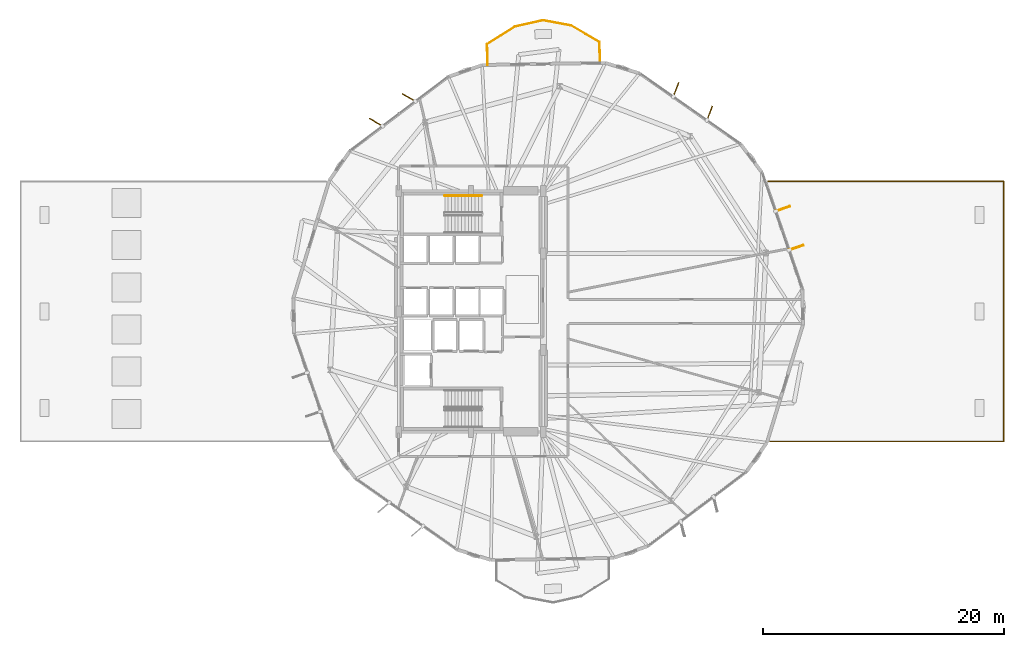
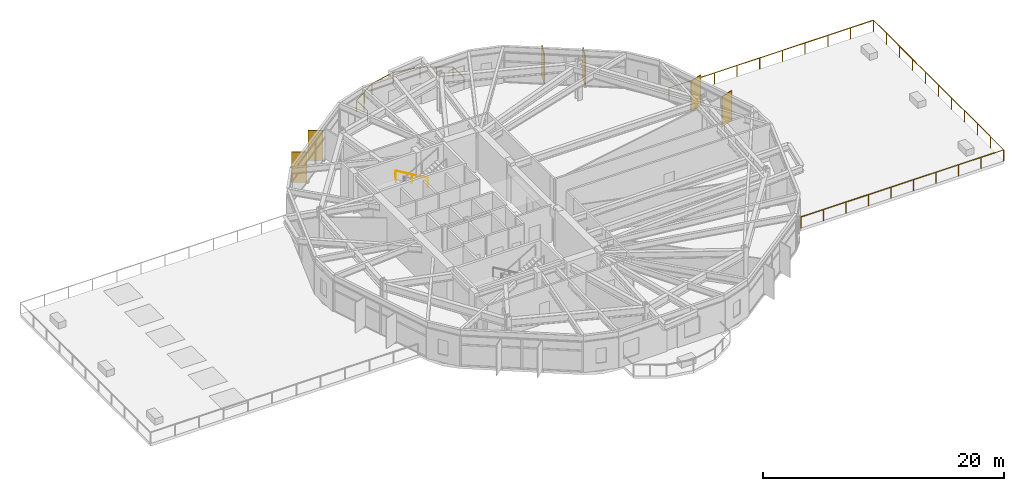
# One storey, part 23 of 23: 6 shading devices, 3 railings.
"""IFC4 building model written with IfcOpenShell, lengths in metres."""

from ifc_helpers import new_model, si_unit, direction, frame, origin, origin_2d, place, context, subcontext, project, spatial, rectangle, circle, extrude, material, layer, layer_set, type_object, element, save


model = new_model("IFC4")

# Units and contexts
model_context = context("Model", 3, precision=1e-05, world=origin(), true_north=direction((0.0, 1.0)))
body_context = subcontext(model_context, "Body", "Model", "MODEL_VIEW")
ifc_project = project(units=[si_unit("LENGTHUNIT", "METRE"), si_unit("AREAUNIT", "SQUARE_METRE"), si_unit("VOLUMEUNIT", "CUBIC_METRE"), si_unit("PLANEANGLEUNIT", "RADIAN"), si_unit("MASSUNIT", "GRAM", prefix="KILO")], contexts=[model_context])

# Site, building, storey
site_placement = place(None, origin())
site = spatial("IfcSite", under=ifc_project, at=site_placement, CompositionType="ELEMENT")
building_placement = place(site_placement, origin())
building = spatial("IfcBuilding", under=site, at=building_placement, Name="Soratama Intermodal Tower", CompositionType="ELEMENT")
storey_placement = place(building_placement, frame((0.0, 0.0, 30.60009765625)))
storey = spatial("IfcBuildingStorey", under=building, at=storey_placement, Name="L06", CompositionType="ELEMENT", Elevation=30.60009765625)

# Railings
ifc_material_1 = material(Name="Laminated glass and stainless steel balustrade", Category="steel")
railing_type_1 = type_object("IfcRailingType", Name="RL-BAL-1150", PredefinedType="BALUSTRADE", material=ifc_material_1)
railing_1_placement = place(storey_placement, frame((63.410888671875, 14.199951171875, 0.0)))
element("IfcRailing", 1, at=railing_1_placement, inside=storey, type_object=railing_type_1, Name="L06 E Podium Terrace Guard 1", PredefinedType="BALUSTRADE", context=body_context, shape_type="SweptSolid", body=[
    extrude(circle(Radius=0.02392578125, at=origin_2d()), frame((0.0, 0.0, 1.1259765625), z_axis=(1.0, 0.0, 0.0), x_axis=(0.0, 1.0, 0.0)), (0.0, 0.0, 1.0), 19.38916015625),
    extrude(circle(Radius=0.02392578125, at=origin_2d()), frame((19.38916015625, 0.0, 1.1259765625), z_axis=(0.0, 1.0, 0.0), x_axis=(-1.0, 0.0, 0.0)), (0.0, 0.0, 1.0), 21.60009765625),
    extrude(circle(Radius=0.02392578125, at=origin_2d()), frame((19.38916015625, 21.60009765625, 1.1259765625), z_axis=(-1.0, 0.0, 0.0), x_axis=(0.0, -1.0, 0.0)), (0.0, 0.0, 1.0), 19.56103515625),
    extrude(circle(Radius=0.02099609375, at=origin_2d()), origin(), (0.0, 0.0, 1.0), 1.101806640625),
    extrude(circle(Radius=0.02099609375, at=origin_2d()), frame((2.154296875, 0.0, 0.0)), (0.0, 0.0, 1.0), 1.101806640625),
    extrude(circle(Radius=0.02099609375, at=origin_2d()), frame((4.30859375, 0.0, 0.0)), (0.0, 0.0, 1.0), 1.101806640625),
    extrude(circle(Radius=0.02099609375, at=origin_2d()), frame((6.463134765625, 0.0, 0.0)), (0.0, 0.0, 1.0), 1.101806640625),
    extrude(circle(Radius=0.02099609375, at=origin_2d()), frame((8.617431640625, 0.0, 0.0)), (0.0, 0.0, 1.0), 1.101806640625),
    extrude(circle(Radius=0.02099609375, at=origin_2d()), frame((10.771728515625, 0.0, 0.0)), (0.0, 0.0, 1.0), 1.101806640625),
    extrude(circle(Radius=0.02099609375, at=origin_2d()), frame((12.926025390625, 0.0, 0.0)), (0.0, 0.0, 1.0), 1.101806640625),
    extrude(circle(Radius=0.02099609375, at=origin_2d()), frame((15.08056640625, 0.0, 0.0)), (0.0, 0.0, 1.0), 1.101806640625),
    extrude(circle(Radius=0.02099609375, at=origin_2d()), frame((17.23486328125, 0.0, 0.0)), (0.0, 0.0, 1.0), 1.101806640625),
    extrude(circle(Radius=0.02099609375, at=origin_2d()), frame((19.38916015625, 0.0, 0.0)), (0.0, 0.0, 1.0), 1.101806640625),
    extrude(circle(Radius=0.02099609375, at=origin_2d()), frame((19.38916015625, 2.159912109375, 0.0)), (0.0, 0.0, 1.0), 1.101806640625),
    extrude(circle(Radius=0.02099609375, at=origin_2d()), frame((19.38916015625, 4.320068359375, 0.0)), (0.0, 0.0, 1.0), 1.101806640625),
    extrude(circle(Radius=0.02099609375, at=origin_2d()), frame((19.38916015625, 6.47998046875, 0.0)), (0.0, 0.0, 1.0), 1.101806640625),
    extrude(circle(Radius=0.02099609375, at=origin_2d()), frame((19.38916015625, 8.64013671875, 0.0)), (0.0, 0.0, 1.0), 1.101806640625),
    extrude(circle(Radius=0.02099609375, at=origin_2d()), frame((19.38916015625, 10.800048828125, 0.0)), (0.0, 0.0, 1.0), 1.101806640625),
    extrude(circle(Radius=0.02099609375, at=origin_2d()), frame((19.38916015625, 12.9599609375, 0.0)), (0.0, 0.0, 1.0), 1.101806640625),
    extrude(circle(Radius=0.02099609375, at=origin_2d()), frame((19.38916015625, 15.1201171875, 0.0)), (0.0, 0.0, 1.0), 1.101806640625),
    extrude(circle(Radius=0.02099609375, at=origin_2d()), frame((19.38916015625, 17.280029296875, 0.0)), (0.0, 0.0, 1.0), 1.101806640625),
    extrude(circle(Radius=0.02099609375, at=origin_2d()), frame((19.38916015625, 19.440185546875, 0.0)), (0.0, 0.0, 1.0), 1.101806640625),
    extrude(circle(Radius=0.02099609375, at=origin_2d()), frame((19.38916015625, 21.60009765625, 0.0)), (0.0, 0.0, 1.0), 1.101806640625),
    extrude(circle(Radius=0.02099609375, at=origin_2d()), frame((17.2158203125, 21.60009765625, 0.0)), (0.0, 0.0, 1.0), 1.101806640625),
    extrude(circle(Radius=0.02099609375, at=origin_2d()), frame((15.042236328125, 21.60009765625, 0.0)), (0.0, 0.0, 1.0), 1.101806640625),
    extrude(circle(Radius=0.02099609375, at=origin_2d()), frame((12.868896484375, 21.60009765625, 0.0)), (0.0, 0.0, 1.0), 1.101806640625),
    extrude(circle(Radius=0.02099609375, at=origin_2d()), frame((10.6953125, 21.60009765625, 0.0)), (0.0, 0.0, 1.0), 1.101806640625),
    extrude(circle(Radius=0.02099609375, at=origin_2d()), frame((8.52197265625, 21.60009765625, 0.0)), (0.0, 0.0, 1.0), 1.101806640625),
    extrude(circle(Radius=0.02099609375, at=origin_2d()), frame((6.348388671875, 21.60009765625, 0.0)), (0.0, 0.0, 1.0), 1.101806640625),
    extrude(circle(Radius=0.02099609375, at=origin_2d()), frame((4.175048828125, 21.60009765625, 0.0)), (0.0, 0.0, 1.0), 1.101806640625),
    extrude(circle(Radius=0.02099609375, at=origin_2d()), frame((2.00146484375, 21.60009765625, 0.0)), (0.0, 0.0, 1.0), 1.101806640625),
    extrude(circle(Radius=0.02099609375, at=origin_2d()), frame((-0.171875, 21.60009765625, 0.0)), (0.0, 0.0, 1.0), 1.101806640625),
])
railing_2_placement = place(storey_placement, frame((39.969970703125, 45.45654296875, 0.0)))
element("IfcRailing", 2, at=railing_2_placement, inside=storey, type_object=railing_type_1, Name="L06 Balcony Balustrade 1", PredefinedType="BALUSTRADE", context=body_context, shape_type="SweptSolid", body=[
    extrude(circle(Radius=0.02392578125, at=origin_2d()), frame((0.0, 0.0, 1.1259765625), z_axis=(-0.017884702874, 0.99984005591, 0.0), x_axis=(-0.99984005591, -0.017884702874, 0.0)), (0.0, 0.0, 1.0), 1.719970703125),
    extrude(circle(Radius=0.02392578125, at=origin_2d()), frame((-0.03076171875, 1.7197265625, 1.1259765625), z_axis=(0.845586696771, 0.533838119887, 0.0), x_axis=(-0.533838119887, 0.845586696771, 0.0)), (0.0, 0.0, 1.0), 2.728515625),
    extrude(circle(Radius=0.02392578125, at=origin_2d()), frame((2.2763671875, 3.17626953125, 1.1259765625), z_axis=(0.975308717846, 0.220845884938, 0.0), x_axis=(-0.220845884938, 0.975308717846, 0.0)), (0.0, 0.0, 1.0), 2.38232421875),
    extrude(circle(Radius=0.02392578125, at=origin_2d()), frame((4.599853515625, 3.702392578125, 1.1259765625), z_axis=(0.982554055399, -0.185977225002, 0.0), x_axis=(0.185977225002, 0.982554055399, 0.0)), (0.0, 0.0, 1.0), 2.382568359375),
    extrude(circle(Radius=0.02392578125, at=origin_2d()), frame((6.94091796875, 3.25927734375, 1.1259765625), z_axis=(0.864038423185, -0.503425866698, 0.0), x_axis=(0.503425866698, 0.864038423185, 0.0)), (0.0, 0.0, 1.0), 2.728271484375),
    extrude(circle(Radius=0.02392578125, at=origin_2d()), frame((9.29833984375, 1.8857421875, 1.1259765625), z_axis=(0.017742805651, -0.999842584034, 0.0), x_axis=(0.999842584034, 0.017742805651, 0.0)), (0.0, 0.0, 1.0), 1.719970703125),
    extrude(circle(Radius=0.02099609375, at=origin_2d()), origin(), (0.0, 0.0, 1.0), 1.101806640625),
    extrude(circle(Radius=0.02099609375, at=origin_2d()), frame((-0.03076171875, 1.7197265625, 0.0)), (0.0, 0.0, 1.0), 1.101806640625),
    extrude(circle(Radius=0.02099609375, at=origin_2d()), frame((1.122802734375, 2.447998046875, 0.0)), (0.0, 0.0, 1.0), 1.101806640625),
    extrude(circle(Radius=0.02099609375, at=origin_2d()), frame((2.2763671875, 3.17626953125, 0.0)), (0.0, 0.0, 1.0), 1.101806640625),
    extrude(circle(Radius=0.02099609375, at=origin_2d()), frame((4.599853515625, 3.702392578125, 0.0)), (0.0, 0.0, 1.0), 1.101806640625),
    extrude(circle(Radius=0.02099609375, at=origin_2d()), frame((6.94091796875, 3.25927734375, 0.0)), (0.0, 0.0, 1.0), 1.101806640625),
    extrude(circle(Radius=0.02099609375, at=origin_2d()), frame((8.11962890625, 2.572509765625, 0.0)), (0.0, 0.0, 1.0), 1.101806640625),
    extrude(circle(Radius=0.02099609375, at=origin_2d()), frame((9.29833984375, 1.8857421875, 0.0)), (0.0, 0.0, 1.0), 1.101806640625),
    extrude(circle(Radius=0.02099609375, at=origin_2d()), frame((9.328857421875, 0.166015625, 0.0)), (0.0, 0.0, 1.0), 1.101806640625),
])
ifc_material_2 = material(Name="Brushed stainless steel handrail", Category="steel")
railing_type_2 = type_object("IfcRailingType", Name="RL-STAIR-HAND", PredefinedType="HANDRAIL", material=ifc_material_2)
railing_3_placement = place(storey_placement, frame((39.5, 34.60009765625, 0.16650390625)))
element("IfcRailing", 3, at=railing_3_placement, inside=storey, type_object=railing_type_2, Name="L06 ST-2 stair handrail 1", PredefinedType="HANDRAIL", context=body_context, shape_type="SweptSolid", body=[
    extrude(circle(Radius=0.02392578125, at=origin_2d()), frame((0.0, 0.0, 0.8759765625), z_axis=(-0.85927862911, 0.0, 0.511507807912), x_axis=(0.0, -1.0, 0.0)), (0.0, 0.0, 1.0), 3.58447265625),
    extrude(circle(Radius=0.02099609375, at=origin_2d()), origin(), (0.0, 0.0, 1.0), 0.851806640625),
    extrude(circle(Radius=0.02099609375, at=origin_2d()), frame((-1.5400390625, 0.0, 0.916748046875)), (0.0, 0.0, 1.0), 0.851806640625),
    extrude(circle(Radius=0.02099609375, at=origin_2d()), frame((-3.080078125, 0.0, 1.83349609375)), (0.0, 0.0, 1.0), 0.851806640625),
])

# Shading devices
ifc_material_3 = material(Name="Champagne anodised aluminium solar fin", Category="aluminium")
ifc_layer = layer(ifc_material_3, 0.080078125)
ifc_layer_set = layer_set([ifc_layer], Name="Champagne anodised aluminium solar fin")
shading_device_type = type_object("IfcShadingDeviceType", Name="SH-FIN-1250", PredefinedType="USERDEFINED", material=ifc_layer_set)
for number, where, z_axis, x_axis, name in (
    (4, (65.5869140625, 30.293212890625, 0.019775390625), (0.0, 0.0, 1.0), (0.945404873273, 0.325898182861, 0.0), "L06 Solar Fin F01-1"),
    (5, (64.475341796875, 33.51708984375, 0.019775390625), (0.0, 0.0, 1.0), (0.945404873273, 0.325898182861, 0.0), "L06 Solar Fin F01-2"),
    (6, (58.40380859375, 41.45703125, 0.019775390625), (0.0, 0.0, 1.0), (0.356248802122, 0.934391133833, 0.0), "L06 Solar Fin F02-1"),
    (7, (55.609619140625, 43.412109375, 0.019775390625), (0.0, 0.0, 1.0), (0.356248802122, 0.934391133833, 0.0), "L06 Solar Fin F02-2"),
    (8, (33.434814453125, 42.75244140625, 0.019775390625), (0.0, 0.0, 1.0), (-0.86471344052, 0.502265533143, 0.0), "L06 Solar Fin F04-1"),
    (9, (30.712158203125, 40.69921875, 0.019775390625), (0.0, 0.0, 1.0), (-0.86471344052, 0.502265533143, 0.0), "L06 Solar Fin F04-2"),
):
    element("IfcShadingDevice", number, at=place(storey_placement, frame(where, z_axis=z_axis, x_axis=x_axis)), inside=storey, type_object=shading_device_type, Name=name, ObjectType="FIN", PredefinedType="USERDEFINED", context=body_context, shape_type="SweptSolid", body=[
        extrude(rectangle(XDim=1.25, YDim=0.080078125, at=origin_2d()), origin(), (0.0, 0.0, 1.0), 3.05908203125),
    ])

save(model, "model.ifc")
